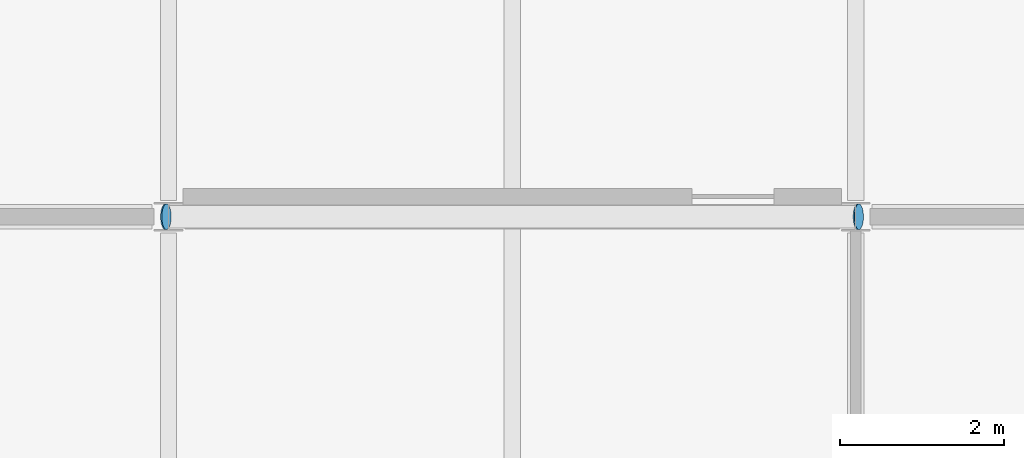
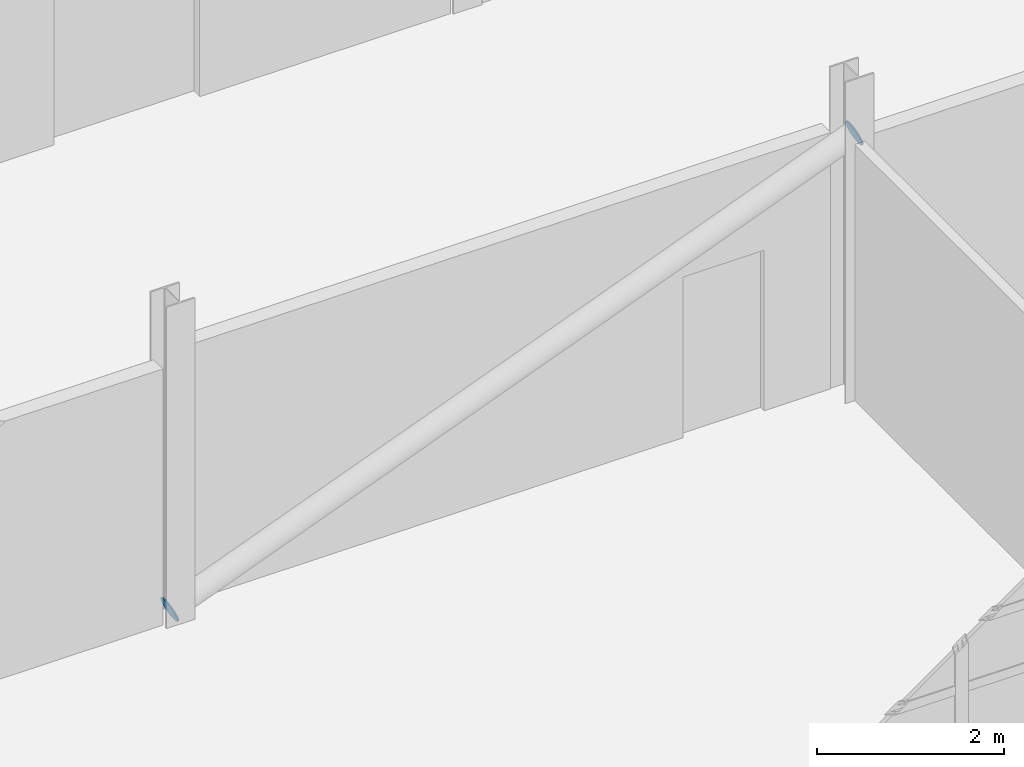
# One storey, part 77 of 96: 2 discrete accessories.
"""IFC4 building model written with IfcOpenShell, lengths in metres."""

from ifc_helpers import new_model, si_unit, direction, frame, origin, origin_2d, place, context, subcontext, project, spatial, circle, extrude, material, layer, layer_set, type_object, element, save


model = new_model("IFC4")

# Units and contexts
model_context = context("Model", 3, precision=1e-05, world=origin(), true_north=direction((0.0, 1.0)))
body_context = subcontext(model_context, "Body", "Model", "MODEL_VIEW")
ifc_project = project(units=[si_unit("LENGTHUNIT", "METRE"), si_unit("AREAUNIT", "SQUARE_METRE"), si_unit("VOLUMEUNIT", "CUBIC_METRE"), si_unit("PLANEANGLEUNIT", "RADIAN"), si_unit("MASSUNIT", "GRAM", prefix="KILO")], contexts=[model_context])

# Site, building, storey
site_placement = place(None, origin())
site = spatial("IfcSite", under=ifc_project, at=site_placement, CompositionType="ELEMENT")
building_placement = place(site_placement, origin())
building = spatial("IfcBuilding", under=site, at=building_placement, Name="Cresset Court Congress Hotel", CompositionType="ELEMENT")
storey_placement = place(building_placement, frame((0.0, 0.0, 6.0)))
storey = spatial("IfcBuildingStorey", under=building, at=storey_placement, Name="L01", CompositionType="ELEMENT", Elevation=6.0)

# Discrete accessories
ifc_material = material(Name="Structural steel Q355B", Category="steel")
ifc_layer = layer(ifc_material, 0.01611328125)
ifc_layer_set = layer_set([ifc_layer], Name="Brace end gusset 273x16")
discrete_accessory_type = type_object("IfcDiscreteAccessoryType", Name="Brace end gusset 273x16", PredefinedType="BRACKET", material=ifc_layer_set)
discrete_accessory_1_placement = place(storey_placement, frame((134.375, 8.39990234375, 0.10009765625), z_axis=(-0.930565951697, 0.0, -0.366124308865), x_axis=(0.0, -1.0, 0.0)))
element("IfcDiscreteAccessory", 1, at=discrete_accessory_1_placement, inside=storey, type_object=discrete_accessory_type, Name="Brace end gusset L01 17-1", PredefinedType="BRACKET", context=body_context, shape_type="SweptSolid", body=[
    extrude(circle(Radius=0.156494140625, at=origin_2d()), origin(), (0.0, 0.0, 1.0), 0.01611328125),
])
discrete_accessory_2_placement = place(storey_placement, frame((142.824951171875, 8.39990234375, 3.360107421875), z_axis=(0.935697286394, 0.0, 0.35280389487), x_axis=(0.0, 1.0, 0.0)))
element("IfcDiscreteAccessory", 2, at=discrete_accessory_2_placement, inside=storey, type_object=discrete_accessory_type, Name="Brace end gusset L01 17-2", PredefinedType="BRACKET", context=body_context, shape_type="SweptSolid", body=[
    extrude(circle(Radius=0.156494140625, at=origin_2d()), origin(), (0.0, 0.0, 1.0), 0.015869140625),
])

save(model, "model.ifc")
